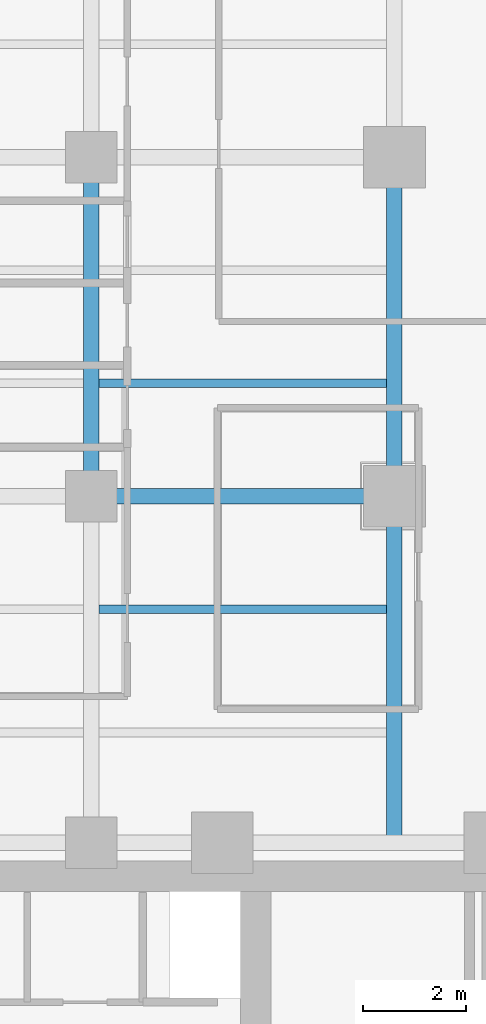
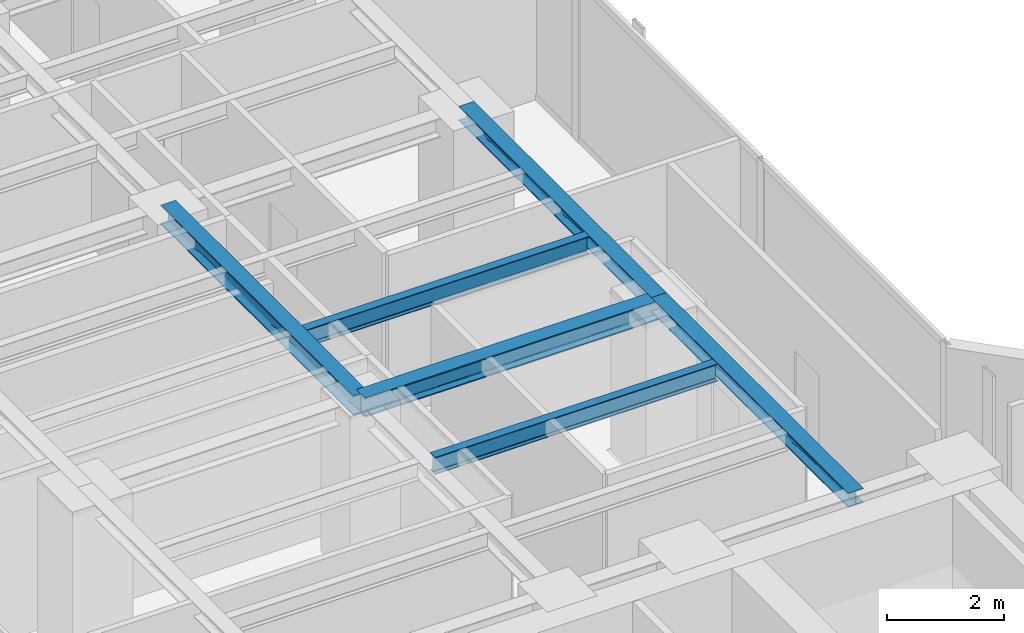
# One storey, part 8 of 26: 6 beams.
"""IFC4 building model written with IfcOpenShell, lengths in metres."""

from ifc_helpers import new_model, si_unit, direction, frame, origin, origin_2d, place, context, subcontext, project, spatial, i_section, extrude, material, material_profile, profile_set, type_object, element, save


model = new_model("IFC4")

# Units and contexts
model_context = context("Model", 3, precision=1e-05, world=origin(), true_north=direction((0.0, 1.0)))
body_context = subcontext(model_context, "Body", "Model", "MODEL_VIEW")
ifc_project = project(units=[si_unit("LENGTHUNIT", "METRE"), si_unit("AREAUNIT", "SQUARE_METRE"), si_unit("VOLUMEUNIT", "CUBIC_METRE"), si_unit("PLANEANGLEUNIT", "RADIAN"), si_unit("MASSUNIT", "GRAM", prefix="KILO")], contexts=[model_context])

# Site, building, storey
site_placement = place(None, origin())
site = spatial("IfcSite", under=ifc_project, at=site_placement, CompositionType="ELEMENT")
building_placement = place(site_placement, origin())
building = spatial("IfcBuilding", under=site, at=building_placement, Name="Kolvaren Waterfront Exchange", CompositionType="ELEMENT")
storey_placement = place(building_placement, frame((0.0, 0.0, 195.60009765625)))
storey = spatial("IfcBuildingStorey", under=building, at=storey_placement, Name="L50", CompositionType="ELEMENT", Elevation=195.60009765625)

# Beams
ifc_material = material(Name="Steel S355", Category="steel")
ifc_material_profile_1 = material_profile(ifc_material, i_section(OverallWidth=0.300048828125, OverallDepth=0.300048828125, WebThickness=0.010986328125, FlangeThickness=0.01904296875, FilletRadius=0.027099609375, at=origin_2d()), Name="HEB300")
ifc_profile_set_1 = profile_set([ifc_material_profile_1], Name="Steel S355")
beam_type_1 = type_object("IfcBeamType", Name="STR-BM-HEB300", PredefinedType="SPANDREL", material=ifc_profile_set_1)
beam_1_placement = place(storey_placement, frame((18.800048828125, 24.449951171875, 3.27001953125), z_axis=(0.0, 1.0, 0.0), x_axis=(-1.0, 0.0, 0.0)))
element("IfcBeam", 1, at=beam_1_placement, inside=storey, type_object=beam_type_1, Name="L50 north-arm edge beam 1", PredefinedType="SPANDREL", context=body_context, shape_type="SweptSolid", body=[
    extrude(i_section(OverallWidth=0.300048828125, OverallDepth=0.300048828125, WebThickness=0.010986328125, FlangeThickness=0.01904296875, FilletRadius=0.027099609375, at=origin_2d()), origin(), (0.0, 0.0, 1.0), 6.75),
])
beam_2_placement = place(storey_placement, frame((18.800048828125, 31.199951171875, 3.27001953125), z_axis=(0.0, 1.0, 0.0), x_axis=(-1.0, 0.0, 0.0)))
element("IfcBeam", 2, at=beam_2_placement, inside=storey, type_object=beam_type_1, Name="L50 north-arm edge beam 2", PredefinedType="SPANDREL", context=body_context, shape_type="SweptSolid", body=[
    extrude(i_section(OverallWidth=0.300048828125, OverallDepth=0.300048828125, WebThickness=0.010986328125, FlangeThickness=0.01904296875, FilletRadius=0.027099609375, at=origin_2d()), origin(), (0.0, 0.0, 1.0), 6.60009765625),
])
ifc_material_profile_2 = material_profile(ifc_material, i_section(OverallWidth=0.300048828125, OverallDepth=0.39990234375, WebThickness=0.013427734375, FlangeThickness=0.02392578125, FilletRadius=0.027099609375, at=origin_2d()), Name="HEB400")
ifc_profile_set_2 = profile_set([ifc_material_profile_2], Name="Steel S355")
beam_type_2 = type_object("IfcBeamType", Name="STR-BM-HEB400", PredefinedType="BEAM", material=ifc_profile_set_2)
beam_3_placement = place(storey_placement, frame((12.89990234375, 31.199951171875, 3.219970703125), z_axis=(1.0, 0.0, 0.0), x_axis=(0.0, 1.0, 0.0)))
element("IfcBeam", 3, at=beam_3_placement, inside=storey, type_object=beam_type_2, Name="L50 north-arm girder 2B", PredefinedType="BEAM", context=body_context, shape_type="SweptSolid", body=[
    extrude(i_section(OverallWidth=0.300048828125, OverallDepth=0.39990234375, WebThickness=0.013427734375, FlangeThickness=0.02392578125, FilletRadius=0.027099609375, at=origin_2d()), origin(), (0.0, 0.0, 1.0), 5.900146484375),
])
beam_4_placement = place(storey_placement, frame((12.89990234375, 31.199951171875, 3.219970703125), z_axis=(0.0, 1.0, 0.0), x_axis=(-1.0, 0.0, 0.0)))
element("IfcBeam", 4, at=beam_4_placement, inside=storey, type_object=beam_type_2, Name="L50 north-arm edge beam 2", PredefinedType="BEAM", context=body_context, shape_type="SweptSolid", body=[
    extrude(i_section(OverallWidth=0.300048828125, OverallDepth=0.39990234375, WebThickness=0.013427734375, FlangeThickness=0.02392578125, FilletRadius=0.027099609375, at=origin_2d()), origin(), (0.0, 0.0, 1.0), 6.60009765625),
])
ifc_material_profile_3 = material_profile(ifc_material, i_section(OverallWidth=0.169921875, OverallDepth=0.360107421875, WebThickness=0.008056640625, FlangeThickness=0.0126953125, FilletRadius=0.01806640625, at=origin_2d()), Name="IPE360")
ifc_profile_set_3 = profile_set([ifc_material_profile_3], Name="Steel S355")
beam_type_3 = type_object("IfcBeamType", Name="STR-BM-IPE360", PredefinedType="JOIST", material=ifc_profile_set_3)
for number, where, z_axis, x_axis, name in (
    (5, (13.052001953125, 29.0, 3.239990234375), (1.0, 0.0, 0.0), (0.0, 1.0, 0.0), "L50 north-arm composite joist 2B"),
    (6, (13.052001953125, 33.39990234375, 3.239990234375), (1.0, 0.0, 0.0), (0.0, 1.0, 0.0), "L50 north-arm composite joist 3B"),
):
    element("IfcBeam", number, at=place(storey_placement, frame(where, z_axis=z_axis, x_axis=x_axis)), inside=storey, type_object=beam_type_3, Name=name, PredefinedType="JOIST", context=body_context, shape_type="SweptSolid", body=[
        extrude(i_section(OverallWidth=0.169921875, OverallDepth=0.360107421875, WebThickness=0.008056640625, FlangeThickness=0.0126953125, FilletRadius=0.01806640625, at=origin_2d()), origin(), (0.0, 0.0, 1.0), 5.595947265625),
    ])

save(model, "model.ifc")
